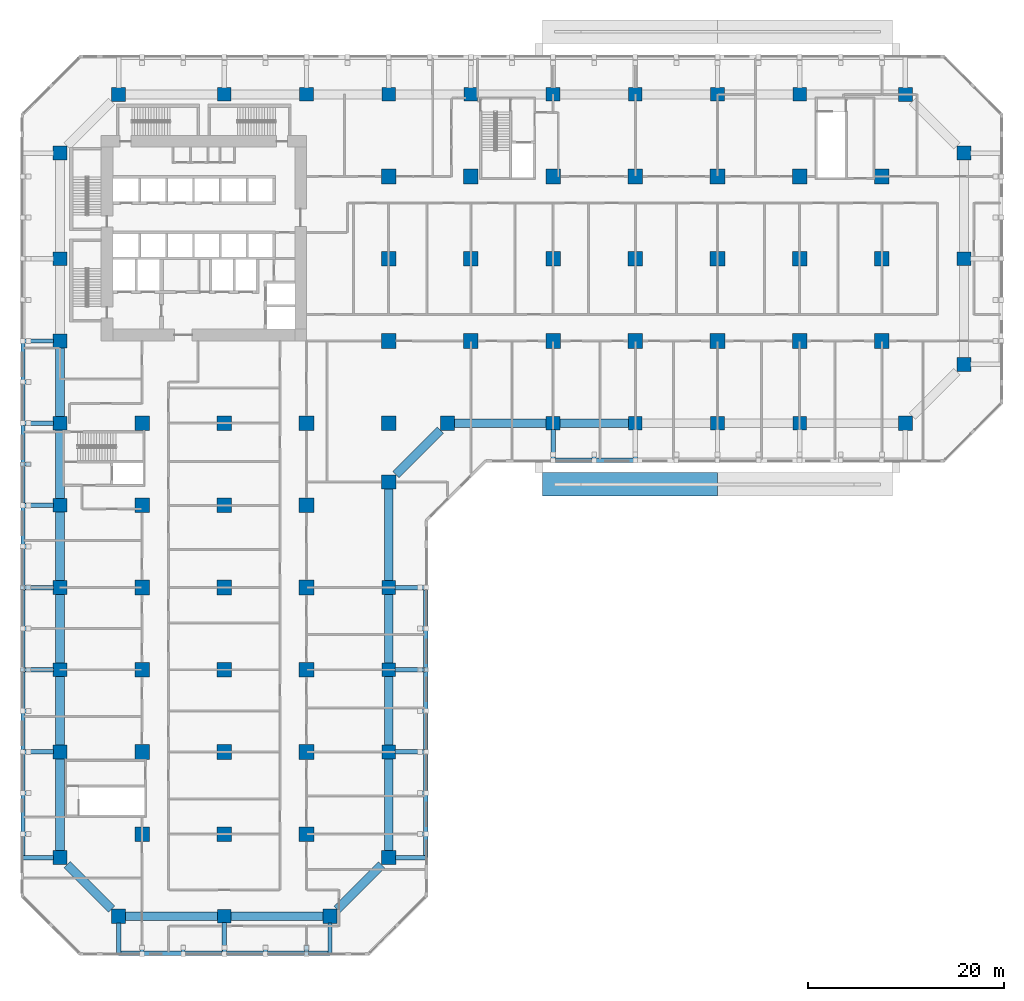
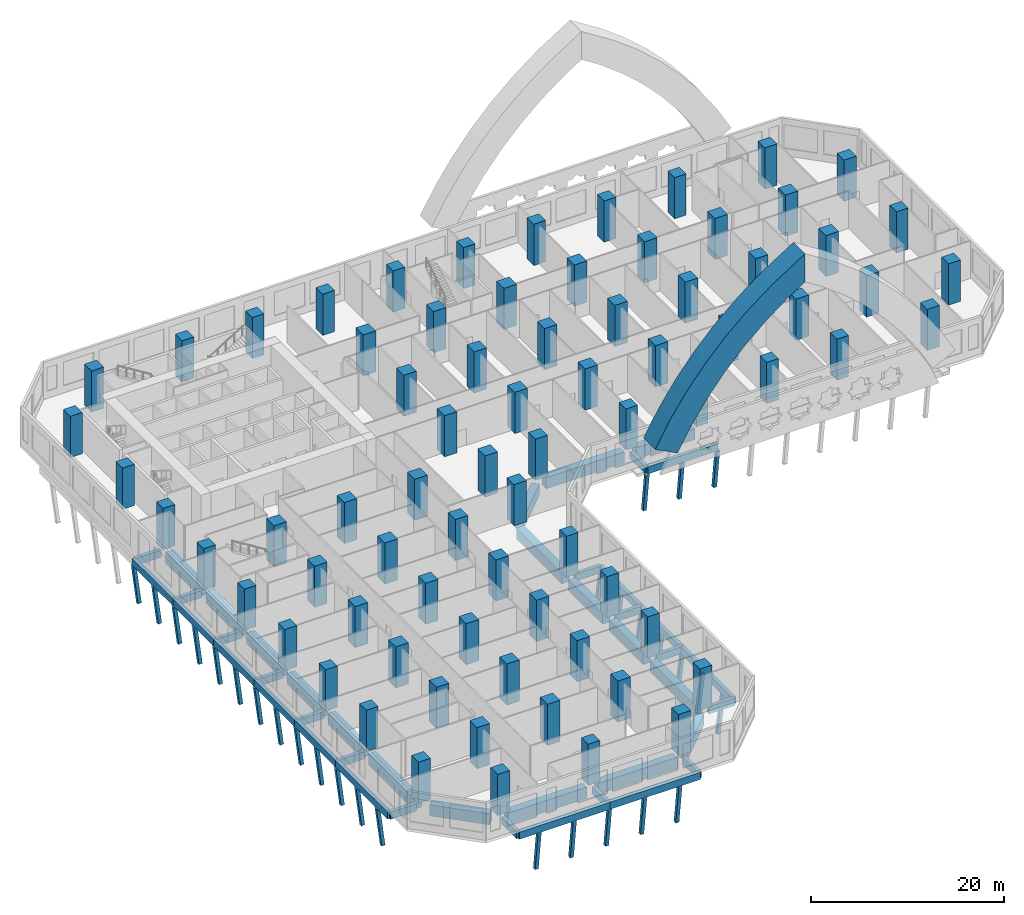
# One storey, part 1 of 25: 76 columns, 44 beams, 29 members.
"""IFC4 building model written with IfcOpenShell, lengths in metres."""

from ifc_helpers import new_model, si_unit, direction, frame, origin, origin_2d, place, context, subcontext, project, spatial, polyline, rectangle, hollow_rectangle, outline, extrude, material, material_profile, profile_set, type_object, element, save


model = new_model("IFC4")

# Units and contexts
model_context = context("Model", 3, precision=1e-05, world=origin(), true_north=direction((0.0, 1.0)))
body_context = subcontext(model_context, "Body", "Model", "MODEL_VIEW")
ifc_project = project(units=[si_unit("LENGTHUNIT", "METRE"), si_unit("AREAUNIT", "SQUARE_METRE"), si_unit("VOLUMEUNIT", "CUBIC_METRE"), si_unit("PLANEANGLEUNIT", "RADIAN"), si_unit("MASSUNIT", "GRAM", prefix="KILO")], contexts=[model_context])

# Site, building, storey
site_placement = place(None, origin())
site = spatial("IfcSite", under=ifc_project, at=site_placement, CompositionType="ELEMENT")
building_placement = place(site_placement, origin())
building = spatial("IfcBuilding", under=site, at=building_placement, Name="Kawkab Arch Medical Tower", CompositionType="ELEMENT")
storey_placement = place(building_placement, frame((0.0, 0.0, 29.0)))
storey = spatial("IfcBuildingStorey", under=building, at=storey_placement, Name="L06", CompositionType="ELEMENT", Elevation=29.0)

# Columns
ifc_material_1 = material(Name="Concrete C60/75", Category="concrete")
ifc_material_profile_1 = material_profile(ifc_material_1, rectangle(XDim=1.39990234375, YDim=1.39990234375, at=origin_2d()), Name="RC 1400x1400")
ifc_profile_set_1 = profile_set([ifc_material_profile_1], Name="Concrete C60/75")
column_type_1 = type_object("IfcColumnType", Name="RC 1400x1400 column C60/75", PredefinedType="COLUMN", material=ifc_profile_set_1)
for number, where, z_axis, x_axis, name in (
    (1, (16.800048828125, 0.0, 0.0), (0.0, 0.0, 1.0), (1.0, 0.0, 0.0), "Column RC 1400x1400"),
    (2, (25.199951171875, 0.0, 0.0), (0.0, 0.0, 1.0), (1.0, 0.0, 0.0), "Column RC 1400x1400"),
    (3, (33.60009765625, 0.0, 0.0), (0.0, 0.0, 1.0), (1.0, 0.0, 0.0), "Column RC 1400x1400"),
    (4, (42.0, 0.0, 0.0), (0.0, 0.0, 1.0), (1.0, 0.0, 0.0), "Column RC 1400x1400"),
    (5, (50.39990234375, 0.0, 0.0), (0.0, 0.0, 1.0), (1.0, 0.0, 0.0), "Column RC 1400x1400"),
    (6, (58.800048828125, 0.0, 0.0), (0.0, 0.0, 1.0), (1.0, 0.0, 0.0), "Column RC 1400x1400"),
    (7, (67.199951171875, 0.0, 0.0), (0.0, 0.0, 1.0), (1.0, 0.0, 0.0), "Column RC 1400x1400"),
    (8, (75.60009765625, 0.0, 0.0), (0.0, 0.0, 1.0), (1.0, 0.0, 0.0), "Column RC 1400x1400"),
    (9, (0.0, -16.800048828125, 0.0), (0.0, 0.0, 1.0), (1.0, 0.0, 0.0), "Column RC 1400x1400"),
    (10, (92.39990234375, -16.800048828125, 0.0), (0.0, 0.0, 1.0), (1.0, 0.0, 0.0), "Column RC 1400x1400"),
    (11, (0.0, -25.199951171875, 0.0), (0.0, 0.0, 1.0), (1.0, 0.0, 0.0), "Column RC 1400x1400"),
    (12, (0.0, -33.60009765625, 0.0), (0.0, 0.0, 1.0), (1.0, 0.0, 0.0), "Column RC 1400x1400"),
    (13, (50.39990234375, -33.60009765625, 0.0), (0.0, 0.0, 1.0), (1.0, 0.0, 0.0), "Column RC 1400x1400"),
    (14, (58.800048828125, -33.60009765625, 0.0), (0.0, 0.0, 1.0), (1.0, 0.0, 0.0), "Column RC 1400x1400"),
    (15, (67.199951171875, -33.60009765625, 0.0), (0.0, 0.0, 1.0), (1.0, 0.0, 0.0), "Column RC 1400x1400"),
    (16, (75.60009765625, -33.60009765625, 0.0), (0.0, 0.0, 1.0), (1.0, 0.0, 0.0), "Column RC 1400x1400"),
    (17, (0.0, -42.0, 0.0), (0.0, 0.0, 1.0), (1.0, 0.0, 0.0), "Column RC 1400x1400"),
    (18, (0.0, -50.39990234375, 0.0), (0.0, 0.0, 1.0), (1.0, 0.0, 0.0), "Column RC 1400x1400"),
    (19, (33.60009765625, -50.39990234375, 0.0), (0.0, 0.0, 1.0), (1.0, 0.0, 0.0), "Column RC 1400x1400"),
    (20, (0.0, -58.800048828125, 0.0), (0.0, 0.0, 1.0), (1.0, 0.0, 0.0), "Column RC 1400x1400"),
    (21, (33.60009765625, -58.800048828125, 0.0), (0.0, 0.0, 1.0), (1.0, 0.0, 0.0), "Column RC 1400x1400"),
    (22, (0.0, -67.199951171875, 0.0), (0.0, 0.0, 1.0), (1.0, 0.0, 0.0), "Column RC 1400x1400"),
    (23, (33.60009765625, -67.199951171875, 0.0), (0.0, 0.0, 1.0), (1.0, 0.0, 0.0), "Column RC 1400x1400"),
    (24, (16.800048828125, -84.0, 0.0), (0.0, 0.0, 1.0), (1.0, 0.0, 0.0), "Column RC 1400x1400"),
):
    element("IfcColumn", number, at=place(storey_placement, frame(where, z_axis=z_axis, x_axis=x_axis)), inside=storey, type_object=column_type_1, Name=name, PredefinedType="COLUMN", context=body_context, shape_type="SweptSolid", body=[
        extrude(rectangle(XDim=1.39990234375, YDim=1.39990234375, at=origin_2d()), origin(), (0.0, 0.0, 1.0), 5.199951171875),
    ])
ifc_material_2 = material(Name="Concrete C60/75", Category="concrete")
ifc_material_profile_2 = material_profile(ifc_material_2, rectangle(XDim=1.449951171875, YDim=1.449951171875, at=origin_2d()), Name="RC 1450x1450")
ifc_profile_set_2 = profile_set([ifc_material_profile_2], Name="Concrete C60/75")
column_type_2 = type_object("IfcColumnType", Name="RC 1450x1450 column C60/75", PredefinedType="COLUMN", material=ifc_profile_set_2)
for number, where, z_axis, x_axis, name in (
    (25, (6.0, 0.0, 0.0), (0.0, 0.0, 1.0), (1.0, 0.0, 0.0), "Column RC 1450x1450"),
    (26, (86.39990234375, 0.0, 0.0), (0.0, 0.0, 1.0), (1.0, 0.0, 0.0), "Column RC 1450x1450"),
    (27, (0.0, -6.0, 0.0), (0.0, 0.0, 1.0), (1.0, 0.0, 0.0), "Column RC 1450x1450"),
    (28, (92.39990234375, -6.0, 0.0), (0.0, 0.0, 1.0), (1.0, 0.0, 0.0), "Column RC 1450x1450"),
    (29, (92.39990234375, -27.60009765625, 0.0), (0.0, 0.0, 1.0), (1.0, 0.0, 0.0), "Column RC 1450x1450"),
    (30, (39.60009765625, -33.60009765625, 0.0), (0.0, 0.0, 1.0), (1.0, 0.0, 0.0), "Column RC 1450x1450"),
    (31, (86.39990234375, -33.60009765625, 0.0), (0.0, 0.0, 1.0), (1.0, 0.0, 0.0), "Column RC 1450x1450"),
    (32, (33.60009765625, -39.60009765625, 0.0), (0.0, 0.0, 1.0), (1.0, 0.0, 0.0), "Column RC 1450x1450"),
    (33, (0.0, -78.0, 0.0), (0.0, 0.0, 1.0), (1.0, 0.0, 0.0), "Column RC 1450x1450"),
    (34, (33.60009765625, -78.0, 0.0), (0.0, 0.0, 1.0), (1.0, 0.0, 0.0), "Column RC 1450x1450"),
    (35, (6.0, -84.0, 0.0), (0.0, 0.0, 1.0), (1.0, 0.0, 0.0), "Column RC 1450x1450"),
    (36, (27.60009765625, -84.0, 0.0), (0.0, 0.0, 1.0), (1.0, 0.0, 0.0), "Column RC 1450x1450"),
):
    element("IfcColumn", number, at=place(storey_placement, frame(where, z_axis=z_axis, x_axis=x_axis)), inside=storey, type_object=column_type_2, Name=name, PredefinedType="COLUMN", context=body_context, shape_type="SweptSolid", body=[
        extrude(rectangle(XDim=1.449951171875, YDim=1.449951171875, at=origin_2d()), origin(), (0.0, 0.0, 1.0), 5.199951171875),
    ])
ifc_material_3 = material(Name="Concrete C60/75", Category="concrete")
ifc_material_profile_3 = material_profile(ifc_material_3, rectangle(XDim=1.5, YDim=1.5, at=origin_2d()), Name="RC 1500x1500")
ifc_profile_set_3 = profile_set([ifc_material_profile_3], Name="Concrete C60/75")
column_type_3 = type_object("IfcColumnType", Name="RC 1500x1500 column C60/75", PredefinedType="COLUMN", material=ifc_profile_set_3)
for number, where, z_axis, x_axis, name in (
    (37, (33.60009765625, -8.39990234375, 0.0), (0.0, 0.0, 1.0), (1.0, 0.0, 0.0), "Column RC 1500x1500"),
    (38, (42.0, -8.39990234375, 0.0), (0.0, 0.0, 1.0), (1.0, 0.0, 0.0), "Column RC 1500x1500"),
    (39, (50.39990234375, -8.39990234375, 0.0), (0.0, 0.0, 1.0), (1.0, 0.0, 0.0), "Column RC 1500x1500"),
    (40, (58.800048828125, -8.39990234375, 0.0), (0.0, 0.0, 1.0), (1.0, 0.0, 0.0), "Column RC 1500x1500"),
    (41, (67.199951171875, -8.39990234375, 0.0), (0.0, 0.0, 1.0), (1.0, 0.0, 0.0), "Column RC 1500x1500"),
    (42, (75.60009765625, -8.39990234375, 0.0), (0.0, 0.0, 1.0), (1.0, 0.0, 0.0), "Column RC 1500x1500"),
    (43, (84.0, -8.39990234375, 0.0), (0.0, 0.0, 1.0), (1.0, 0.0, 0.0), "Column RC 1500x1500"),
    (44, (33.60009765625, -16.800048828125, 0.0), (0.0, 0.0, 1.0), (1.0, 0.0, 0.0), "Column RC 1500x1500"),
    (45, (42.0, -16.800048828125, 0.0), (0.0, 0.0, 1.0), (1.0, 0.0, 0.0), "Column RC 1500x1500"),
    (46, (50.39990234375, -16.800048828125, 0.0), (0.0, 0.0, 1.0), (1.0, 0.0, 0.0), "Column RC 1500x1500"),
    (47, (58.800048828125, -16.800048828125, 0.0), (0.0, 0.0, 1.0), (1.0, 0.0, 0.0), "Column RC 1500x1500"),
    (48, (67.199951171875, -16.800048828125, 0.0), (0.0, 0.0, 1.0), (1.0, 0.0, 0.0), "Column RC 1500x1500"),
    (49, (75.60009765625, -16.800048828125, 0.0), (0.0, 0.0, 1.0), (1.0, 0.0, 0.0), "Column RC 1500x1500"),
    (50, (84.0, -16.800048828125, 0.0), (0.0, 0.0, 1.0), (1.0, 0.0, 0.0), "Column RC 1500x1500"),
    (51, (33.60009765625, -25.199951171875, 0.0), (0.0, 0.0, 1.0), (1.0, 0.0, 0.0), "Column RC 1500x1500"),
    (52, (42.0, -25.199951171875, 0.0), (0.0, 0.0, 1.0), (1.0, 0.0, 0.0), "Column RC 1500x1500"),
    (53, (50.39990234375, -25.199951171875, 0.0), (0.0, 0.0, 1.0), (1.0, 0.0, 0.0), "Column RC 1500x1500"),
    (54, (58.800048828125, -25.199951171875, 0.0), (0.0, 0.0, 1.0), (1.0, 0.0, 0.0), "Column RC 1500x1500"),
    (55, (67.199951171875, -25.199951171875, 0.0), (0.0, 0.0, 1.0), (1.0, 0.0, 0.0), "Column RC 1500x1500"),
    (56, (75.60009765625, -25.199951171875, 0.0), (0.0, 0.0, 1.0), (1.0, 0.0, 0.0), "Column RC 1500x1500"),
    (57, (84.0, -25.199951171875, 0.0), (0.0, 0.0, 1.0), (1.0, 0.0, 0.0), "Column RC 1500x1500"),
    (58, (8.39990234375, -33.60009765625, 0.0), (0.0, 0.0, 1.0), (1.0, 0.0, 0.0), "Column RC 1500x1500"),
    (59, (16.800048828125, -33.60009765625, 0.0), (0.0, 0.0, 1.0), (1.0, 0.0, 0.0), "Column RC 1500x1500"),
    (60, (25.199951171875, -33.60009765625, 0.0), (0.0, 0.0, 1.0), (1.0, 0.0, 0.0), "Column RC 1500x1500"),
    (61, (33.60009765625, -33.60009765625, 0.0), (0.0, 0.0, 1.0), (1.0, 0.0, 0.0), "Column RC 1500x1500"),
    (62, (8.39990234375, -42.0, 0.0), (0.0, 0.0, 1.0), (1.0, 0.0, 0.0), "Column RC 1500x1500"),
    (63, (16.800048828125, -42.0, 0.0), (0.0, 0.0, 1.0), (1.0, 0.0, 0.0), "Column RC 1500x1500"),
    (64, (25.199951171875, -42.0, 0.0), (0.0, 0.0, 1.0), (1.0, 0.0, 0.0), "Column RC 1500x1500"),
    (65, (8.39990234375, -50.39990234375, 0.0), (0.0, 0.0, 1.0), (1.0, 0.0, 0.0), "Column RC 1500x1500"),
    (66, (16.800048828125, -50.39990234375, 0.0), (0.0, 0.0, 1.0), (1.0, 0.0, 0.0), "Column RC 1500x1500"),
    (67, (25.199951171875, -50.39990234375, 0.0), (0.0, 0.0, 1.0), (1.0, 0.0, 0.0), "Column RC 1500x1500"),
    (68, (8.39990234375, -58.800048828125, 0.0), (0.0, 0.0, 1.0), (1.0, 0.0, 0.0), "Column RC 1500x1500"),
    (69, (16.800048828125, -58.800048828125, 0.0), (0.0, 0.0, 1.0), (1.0, 0.0, 0.0), "Column RC 1500x1500"),
    (70, (25.199951171875, -58.800048828125, 0.0), (0.0, 0.0, 1.0), (1.0, 0.0, 0.0), "Column RC 1500x1500"),
    (71, (8.39990234375, -67.199951171875, 0.0), (0.0, 0.0, 1.0), (1.0, 0.0, 0.0), "Column RC 1500x1500"),
    (72, (16.800048828125, -67.199951171875, 0.0), (0.0, 0.0, 1.0), (1.0, 0.0, 0.0), "Column RC 1500x1500"),
    (73, (25.199951171875, -67.199951171875, 0.0), (0.0, 0.0, 1.0), (1.0, 0.0, 0.0), "Column RC 1500x1500"),
    (74, (8.39990234375, -75.60009765625, 0.0), (0.0, 0.0, 1.0), (1.0, 0.0, 0.0), "Column RC 1500x1500"),
    (75, (16.800048828125, -75.60009765625, 0.0), (0.0, 0.0, 1.0), (1.0, 0.0, 0.0), "Column RC 1500x1500"),
    (76, (25.199951171875, -75.60009765625, 0.0), (0.0, 0.0, 1.0), (1.0, 0.0, 0.0), "Column RC 1500x1500"),
):
    element("IfcColumn", number, at=place(storey_placement, frame(where, z_axis=z_axis, x_axis=x_axis)), inside=storey, type_object=column_type_3, Name=name, PredefinedType="COLUMN", context=body_context, shape_type="SweptSolid", body=[
        extrude(rectangle(XDim=1.5, YDim=1.5, at=origin_2d()), origin(), (0.0, 0.0, 1.0), 5.199951171875),
    ])

# Member
ifc_material_4 = material(Name="Concrete C60/75", Category="concrete")
member_type_1 = type_object("IfcMemberType", Name="Arch rib segment 3000 C60/75", PredefinedType="STRUT", material=ifc_material_4)
member_placement = place(storey_placement, frame((0.0, -38.64990234375, -29.0), z_axis=(0.0, -1.0, 0.0), x_axis=(1.0, 0.0, 0.0)))
element("IfcMember", 77, at=member_placement, inside=storey, type_object=member_type_1, Name="Portal arch rib SW", PredefinedType="STRUT", context=body_context, shape_type="SweptSolid", body=[
    extrude(outline(polyline([(51.953369140625, 31.95166015625), (53.62451171875, 34.8583984375), (55.522216796875, 37.62109375), (57.63623046875, 40.223388671875), (59.951904296875, 42.647216796875), (62.455078125, 44.878173828125), (65.1279296875, 46.900390625), (67.199951171875, 48.22119140625), (67.199951171875, 51.77880859375), (63.4140625, 49.365478515625), (60.548828125, 47.197998046875), (57.865966796875, 44.806640625), (55.3837890625, 42.20849609375), (53.11767578125, 39.4189453125), (51.08349609375, 36.457763671875), (49.29248046875, 33.34228515625), (51.953369140625, 31.95166015625)])), origin(), (0.0, 0.0, 1.0), 2.400146484375),
])

# Beams
ifc_material_5 = material(Name="Concrete C60/75", Category="concrete")
ifc_material_profile_4 = material_profile(ifc_material_5, rectangle(XDim=0.449951171875, YDim=0.89990234375, at=origin_2d()), Name="RC 450x900")
ifc_profile_set_4 = profile_set([ifc_material_profile_4], Name="Concrete C60/75")
beam_type_1 = type_object("IfcBeamType", Name="Podium edge beam RC 450x900 C60/75", PredefinedType="BEAM", material=ifc_profile_set_4)
beam_1_placement = place(storey_placement, frame((-3.77490234375, -25.199951171875, -0.800048828125), z_axis=(0.0, -1.0, 0.0), x_axis=(1.0, 0.0, 0.0)))
element("IfcBeam", 78, at=beam_1_placement, inside=storey, type_object=beam_type_1, Name="Podium edge beam L06 R01.3", PredefinedType="BEAM", context=body_context, shape_type="SweptSolid", body=[
    extrude(rectangle(XDim=0.449951171875, YDim=0.89990234375, at=origin_2d()), origin(), (0.0, 0.0, 1.0), 8.400146484375),
])
for number, where, z_axis, x_axis, name in (
    (79, (-3.77490234375, -33.60009765625, -0.800048828125), (0.0, -1.0, 0.0), (1.0, 0.0, 0.0), "Podium edge beam L06 R01.4"),
    (80, (-3.77490234375, -42.0, -0.800048828125), (0.0, -1.0, 0.0), (1.0, 0.0, 0.0), "Podium edge beam L06 R01.5"),
):
    element("IfcBeam", number, at=place(storey_placement, frame(where, z_axis=z_axis, x_axis=x_axis)), inside=storey, type_object=beam_type_1, Name=name, PredefinedType="BEAM", context=body_context, shape_type="SweptSolid", body=[
        extrude(rectangle(XDim=0.449951171875, YDim=0.89990234375, at=origin_2d()), origin(), (0.0, 0.0, 1.0), 8.39990234375),
    ])
beam_2_placement = place(storey_placement, frame((-3.77490234375, -50.39990234375, -0.800048828125), z_axis=(0.0, -1.0, 0.0), x_axis=(1.0, 0.0, 0.0)))
element("IfcBeam", 81, at=beam_2_placement, inside=storey, type_object=beam_type_1, Name="Podium edge beam L06 R01.6", PredefinedType="BEAM", context=body_context, shape_type="SweptSolid", body=[
    extrude(rectangle(XDim=0.449951171875, YDim=0.89990234375, at=origin_2d()), origin(), (0.0, 0.0, 1.0), 8.400146484375),
])
beam_3_placement = place(storey_placement, frame((-3.77490234375, -58.800048828125, -0.800048828125), z_axis=(0.0, -1.0, 0.0), x_axis=(1.0, 0.0, 0.0)))
element("IfcBeam", 82, at=beam_3_placement, inside=storey, type_object=beam_type_1, Name="Podium edge beam L06 R01.7", PredefinedType="BEAM", context=body_context, shape_type="SweptSolid", body=[
    extrude(rectangle(XDim=0.449951171875, YDim=0.89990234375, at=origin_2d()), origin(), (0.0, 0.0, 1.0), 8.39990234375),
])
beam_4_placement = place(storey_placement, frame((-3.77490234375, -67.199951171875, -0.800048828125), z_axis=(0.0, -1.0, 0.0), x_axis=(1.0, 0.0, 0.0)))
element("IfcBeam", 83, at=beam_4_placement, inside=storey, type_object=beam_type_1, Name="Podium edge beam L06 R01.8", PredefinedType="BEAM", context=body_context, shape_type="SweptSolid", body=[
    extrude(rectangle(XDim=0.449951171875, YDim=0.89990234375, at=origin_2d()), origin(), (0.0, 0.0, 1.0), 10.800048828125),
])
for number, where, z_axis, x_axis, name in (
    (84, (-0.64990234375, -25.199951171875, -0.800048828125), (-1.0, 0.0, 0.0), (0.0, -1.0, 0.0), "Podium cantilever beam L06 R01.3"),
    (85, (-0.64990234375, -33.60009765625, -0.800048828125), (-1.0, 0.0, 0.0), (0.0, -1.0, 0.0), "Podium cantilever beam L06 R01.4"),
    (86, (-0.64990234375, -42.0, -0.800048828125), (-1.0, 0.0, 0.0), (0.0, -1.0, 0.0), "Podium cantilever beam L06 R01.5"),
    (87, (-0.64990234375, -50.39990234375, -0.800048828125), (-1.0, 0.0, 0.0), (0.0, -1.0, 0.0), "Podium cantilever beam L06 R01.6"),
    (88, (-0.64990234375, -58.800048828125, -0.800048828125), (-1.0, 0.0, 0.0), (0.0, -1.0, 0.0), "Podium cantilever beam L06 R01.7"),
    (89, (-0.64990234375, -67.199951171875, -0.800048828125), (-1.0, 0.0, 0.0), (0.0, -1.0, 0.0), "Podium cantilever beam L06 R01.8"),
):
    element("IfcBeam", number, at=place(storey_placement, frame(where, z_axis=z_axis, x_axis=x_axis)), inside=storey, type_object=beam_type_1, Name=name, PredefinedType="BEAM", context=body_context, shape_type="SweptSolid", body=[
        extrude(rectangle(XDim=0.449951171875, YDim=0.89990234375, at=origin_2d()), origin(), (0.0, 0.0, 1.0), 3.125),
    ])
beam_5_placement = place(storey_placement, frame((-0.675048828125, -78.0, -0.800048828125), z_axis=(-1.0, 0.0, 0.0), x_axis=(0.0, -1.0, 0.0)))
element("IfcBeam", 90, at=beam_5_placement, inside=storey, type_object=beam_type_1, Name="Podium cantilever beam L06 R01.9", PredefinedType="BEAM", context=body_context, shape_type="SweptSolid", body=[
    extrude(rectangle(XDim=0.449951171875, YDim=0.89990234375, at=origin_2d()), origin(), (0.0, 0.0, 1.0), 3.099853515625),
])
for number, where, z_axis, x_axis, name in (
    (91, (6.0, -87.77490234375, -0.800048828125), (1.0, 0.0, 0.0), (0.0, 1.0, 0.0), "Podium edge beam L06 R03.1"),
    (92, (16.800048828125, -87.77490234375, -0.800048828125), (1.0, 0.0, 0.0), (0.0, 1.0, 0.0), "Podium edge beam L06 R03.2"),
):
    element("IfcBeam", number, at=place(storey_placement, frame(where, z_axis=z_axis, x_axis=x_axis)), inside=storey, type_object=beam_type_1, Name=name, PredefinedType="BEAM", context=body_context, shape_type="SweptSolid", body=[
        extrude(rectangle(XDim=0.449951171875, YDim=0.89990234375, at=origin_2d()), origin(), (0.0, 0.0, 1.0), 10.800048828125),
    ])
beam_6_placement = place(storey_placement, frame((6.0, -84.675048828125, -0.800048828125), z_axis=(0.0, -1.0, 0.0), x_axis=(1.0, 0.0, 0.0)))
element("IfcBeam", 93, at=beam_6_placement, inside=storey, type_object=beam_type_1, Name="Podium cantilever beam L06 R03.1", PredefinedType="BEAM", context=body_context, shape_type="SweptSolid", body=[
    extrude(rectangle(XDim=0.449951171875, YDim=0.89990234375, at=origin_2d()), origin(), (0.0, 0.0, 1.0), 3.099853515625),
])
beam_7_placement = place(storey_placement, frame((16.800048828125, -84.64990234375, -0.800048828125), z_axis=(0.0, -1.0, 0.0), x_axis=(1.0, 0.0, 0.0)))
element("IfcBeam", 94, at=beam_7_placement, inside=storey, type_object=beam_type_1, Name="Podium cantilever beam L06 R03.2", PredefinedType="BEAM", context=body_context, shape_type="SweptSolid", body=[
    extrude(rectangle(XDim=0.449951171875, YDim=0.89990234375, at=origin_2d()), origin(), (0.0, 0.0, 1.0), 3.125),
])
beam_8_placement = place(storey_placement, frame((27.60009765625, -84.675048828125, -0.800048828125), z_axis=(0.0, -1.0, 0.0), x_axis=(1.0, 0.0, 0.0)))
element("IfcBeam", 95, at=beam_8_placement, inside=storey, type_object=beam_type_1, Name="Podium cantilever beam L06 R03.3", PredefinedType="BEAM", context=body_context, shape_type="SweptSolid", body=[
    extrude(rectangle(XDim=0.449951171875, YDim=0.89990234375, at=origin_2d()), origin(), (0.0, 0.0, 1.0), 3.099853515625),
])
beam_9_placement = place(storey_placement, frame((37.375, -78.0, -0.800048828125), z_axis=(0.0, 1.0, 0.0), x_axis=(-1.0, 0.0, 0.0)))
element("IfcBeam", 96, at=beam_9_placement, inside=storey, type_object=beam_type_1, Name="Podium edge beam L06 R05.1", PredefinedType="BEAM", context=body_context, shape_type="SweptSolid", body=[
    extrude(rectangle(XDim=0.449951171875, YDim=0.89990234375, at=origin_2d()), origin(), (0.0, 0.0, 1.0), 10.800048828125),
])
beam_10_placement = place(storey_placement, frame((37.375, -67.199951171875, -0.800048828125), z_axis=(0.0, 1.0, 0.0), x_axis=(-1.0, 0.0, 0.0)))
element("IfcBeam", 97, at=beam_10_placement, inside=storey, type_object=beam_type_1, Name="Podium edge beam L06 R05.2", PredefinedType="BEAM", context=body_context, shape_type="SweptSolid", body=[
    extrude(rectangle(XDim=0.449951171875, YDim=0.89990234375, at=origin_2d()), origin(), (0.0, 0.0, 1.0), 8.39990234375),
])
beam_11_placement = place(storey_placement, frame((37.375, -58.800048828125, -0.800048828125), z_axis=(0.0, 1.0, 0.0), x_axis=(-1.0, 0.0, 0.0)))
element("IfcBeam", 98, at=beam_11_placement, inside=storey, type_object=beam_type_1, Name="Podium edge beam L06 R05.3", PredefinedType="BEAM", context=body_context, shape_type="SweptSolid", body=[
    extrude(rectangle(XDim=0.449951171875, YDim=0.89990234375, at=origin_2d()), origin(), (0.0, 0.0, 1.0), 8.400146484375),
])
beam_12_placement = place(storey_placement, frame((34.27490234375, -78.0, -0.800048828125), z_axis=(1.0, 0.0, 0.0), x_axis=(0.0, 1.0, 0.0)))
element("IfcBeam", 99, at=beam_12_placement, inside=storey, type_object=beam_type_1, Name="Podium cantilever beam L06 R05.1", PredefinedType="BEAM", context=body_context, shape_type="SweptSolid", body=[
    extrude(rectangle(XDim=0.449951171875, YDim=0.89990234375, at=origin_2d()), origin(), (0.0, 0.0, 1.0), 3.10009765625),
])
for number, where, z_axis, x_axis, name in (
    (100, (34.25, -67.199951171875, -0.800048828125), (1.0, 0.0, 0.0), (0.0, 1.0, 0.0), "Podium cantilever beam L06 R05.2"),
    (101, (34.25, -58.800048828125, -0.800048828125), (1.0, 0.0, 0.0), (0.0, 1.0, 0.0), "Podium cantilever beam L06 R05.3"),
    (102, (34.25, -50.39990234375, -0.800048828125), (1.0, 0.0, 0.0), (0.0, 1.0, 0.0), "Podium cantilever beam L06 R05.4"),
):
    element("IfcBeam", number, at=place(storey_placement, frame(where, z_axis=z_axis, x_axis=x_axis)), inside=storey, type_object=beam_type_1, Name=name, PredefinedType="BEAM", context=body_context, shape_type="SweptSolid", body=[
        extrude(rectangle(XDim=0.449951171875, YDim=0.89990234375, at=origin_2d()), origin(), (0.0, 0.0, 1.0), 3.125),
    ])
beam_13_placement = place(storey_placement, frame((50.39990234375, -37.375, -0.800048828125), z_axis=(1.0, 0.0, 0.0), x_axis=(0.0, 1.0, 0.0)))
element("IfcBeam", 103, at=beam_13_placement, inside=storey, type_object=beam_type_1, Name="Podium edge beam L06 R07.1", PredefinedType="BEAM", context=body_context, shape_type="SweptSolid", body=[
    extrude(rectangle(XDim=0.449951171875, YDim=0.89990234375, at=origin_2d()), origin(), (0.0, 0.0, 1.0), 8.400146484375),
])
beam_14_placement = place(storey_placement, frame((50.39990234375, -34.25, -0.800048828125), z_axis=(0.0, -1.0, 0.0), x_axis=(1.0, 0.0, 0.0)))
element("IfcBeam", 104, at=beam_14_placement, inside=storey, type_object=beam_type_1, Name="Podium cantilever beam L06 R07.1", PredefinedType="BEAM", context=body_context, shape_type="SweptSolid", body=[
    extrude(rectangle(XDim=0.449951171875, YDim=0.89990234375, at=origin_2d()), origin(), (0.0, 0.0, 1.0), 3.125),
])

# Members
ifc_material_6 = material(Name="Steel S355", Category="steel")
ifc_material_profile_5 = material_profile(ifc_material_6, hollow_rectangle(XDim=0.39990234375, YDim=0.39990234375, WallThickness=0.01611328125, at=origin_2d()), Name="SHS 400x400x16")
ifc_profile_set_5 = profile_set([ifc_material_profile_5], Name="Steel S355")
member_type_2 = type_object("IfcMemberType", Name="Podium raking strut SHS 400x400x16", PredefinedType="STRUT", material=ifc_profile_set_5)
for number, where, z_axis, x_axis, name in (
    (105, (-3.202392578125, -25.199951171875, -6.18017578125), (-0.126456354082, 0.0, 0.991972172247), (0.0, -1.0, 0.0), "Raking strut L06 5"),
    (106, (-3.202392578125, -29.39990234375, -6.18017578125), (-0.126456354082, 0.0, 0.991972172247), (0.0, -1.0, 0.0), "Raking strut L06 6"),
    (107, (-3.202392578125, -33.60009765625, -6.18017578125), (-0.126456354082, 0.0, 0.991972172247), (0.0, -1.0, 0.0), "Raking strut L06 7"),
    (108, (-3.202392578125, -37.800048828125, -6.18017578125), (-0.126456354082, 0.0, 0.991972172247), (0.0, -1.0, 0.0), "Raking strut L06 8"),
    (109, (-3.202392578125, -42.0, -6.18017578125), (-0.126456354082, 0.0, 0.991972172247), (0.0, -1.0, 0.0), "Raking strut L06 9"),
    (110, (-3.202392578125, -46.199951171875, -6.18017578125), (-0.126456354082, 0.0, 0.991972172247), (0.0, -1.0, 0.0), "Raking strut L06 10"),
    (111, (-3.202392578125, -50.39990234375, -6.18017578125), (-0.126456354082, 0.0, 0.991972172247), (0.0, -1.0, 0.0), "Raking strut L06 11"),
    (112, (-3.202392578125, -54.60009765625, -6.18017578125), (-0.126456354082, 0.0, 0.991972172247), (0.0, -1.0, 0.0), "Raking strut L06 12"),
    (113, (-3.202392578125, -58.800048828125, -6.18017578125), (-0.126456354082, 0.0, 0.991972172247), (0.0, -1.0, 0.0), "Raking strut L06 13"),
    (114, (-3.202392578125, -63.0, -6.18017578125), (-0.126456354082, 0.0, 0.991972172247), (0.0, -1.0, 0.0), "Raking strut L06 14"),
    (115, (-3.202392578125, -67.199951171875, -6.18017578125), (-0.126456354082, 0.0, 0.991972172247), (0.0, -1.0, 0.0), "Raking strut L06 15"),
    (116, (-3.202392578125, -71.39990234375, -6.18017578125), (-0.126456354082, 0.0, 0.991972172247), (0.0, -1.0, 0.0), "Raking strut L06 16"),
    (117, (-3.202392578125, -75.60009765625, -6.18017578125), (-0.126456354082, 0.0, 0.991972172247), (0.0, -1.0, 0.0), "Raking strut L06 17"),
    (118, (8.39990234375, -87.202392578125, -6.18017578125), (0.0, -0.126456354082, 0.991972172247), (1.0, 0.0, 0.0), "Raking strut L06 18"),
    (119, (12.60009765625, -87.202392578125, -6.18017578125), (0.0, -0.126456354082, 0.991972172247), (1.0, 0.0, 0.0), "Raking strut L06 19"),
    (120, (16.800048828125, -87.202392578125, -6.18017578125), (0.0, -0.126456354082, 0.991972172247), (1.0, 0.0, 0.0), "Raking strut L06 20"),
    (121, (21.0, -87.202392578125, -6.18017578125), (0.0, -0.126456354082, 0.991972172247), (1.0, 0.0, 0.0), "Raking strut L06 21"),
    (122, (25.199951171875, -87.202392578125, -6.18017578125), (0.0, -0.126456354082, 0.991972172247), (1.0, 0.0, 0.0), "Raking strut L06 22"),
    (123, (36.802490234375, -50.39990234375, -6.18017578125), (0.126456354082, 0.0, 0.991972172247), (0.0, 1.0, 0.0), "Raking strut L06 23"),
    (124, (36.802490234375, -54.60009765625, -6.18017578125), (0.126456354082, 0.0, 0.991972172247), (0.0, 1.0, 0.0), "Raking strut L06 24"),
    (125, (36.802490234375, -58.800048828125, -6.18017578125), (0.126456354082, 0.0, 0.991972172247), (0.0, 1.0, 0.0), "Raking strut L06 25"),
    (126, (36.802490234375, -63.0, -6.18017578125), (0.126456354082, 0.0, 0.991972172247), (0.0, 1.0, 0.0), "Raking strut L06 26"),
    (127, (36.802490234375, -67.199951171875, -6.18017578125), (0.126456354082, 0.0, 0.991972172247), (0.0, 1.0, 0.0), "Raking strut L06 27"),
    (128, (36.802490234375, -71.39990234375, -6.18017578125), (0.126456354082, 0.0, 0.991972172247), (0.0, 1.0, 0.0), "Raking strut L06 28"),
    (129, (36.802490234375, -75.60009765625, -6.18017578125), (0.126456354082, 0.0, 0.991972172247), (0.0, 1.0, 0.0), "Raking strut L06 29"),
    (130, (50.39990234375, -36.802490234375, -6.18017578125), (0.0, -0.126456354082, 0.991972172247), (1.0, 0.0, 0.0), "Raking strut L06 30"),
    (131, (54.60009765625, -36.802490234375, -6.18017578125), (0.0, -0.126456354082, 0.991972172247), (1.0, 0.0, 0.0), "Raking strut L06 31"),
    (132, (58.800048828125, -36.802490234375, -6.18017578125), (0.0, -0.126456354082, 0.991972172247), (1.0, 0.0, 0.0), "Raking strut L06 32"),
):
    element("IfcMember", number, at=place(storey_placement, frame(where, z_axis=z_axis, x_axis=x_axis)), inside=storey, type_object=member_type_2, Name=name, PredefinedType="STRUT", context=body_context, shape_type="SweptSolid", body=[
        extrude(hollow_rectangle(XDim=0.39990234375, YDim=0.39990234375, WallThickness=0.01611328125, at=origin_2d()), origin(), (0.0, 0.0, 1.0), 4.9501953125),
    ])

# Beams
ifc_material_7 = material(Name="Concrete C60/75", Category="concrete")
ifc_material_profile_6 = material_profile(ifc_material_7, rectangle(XDim=0.89990234375, YDim=1.39990234375, at=origin_2d()), Name="RC 900x1400")
ifc_profile_set_6 = profile_set([ifc_material_profile_6], Name="Concrete C60/75")
beam_type_2 = type_object("IfcBeamType", Name="RC 900x1400 beam C60/75", PredefinedType="BEAM", material=ifc_profile_set_6)
for number, where, z_axis, x_axis, name in (
    (133, (0.0, -25.89990234375, -1.050048828125), (0.0, -1.0, 0.0), (1.0, 0.0, 0.0), "Podium edge beam L06-03"),
    (134, (0.0, -34.300048828125, -1.050048828125), (0.0, -1.0, 0.0), (1.0, 0.0, 0.0), "Podium edge beam L06-04"),
    (135, (0.0, -42.699951171875, -1.050048828125), (0.0, -1.0, 0.0), (1.0, 0.0, 0.0), "Podium edge beam L06-05"),
    (136, (0.0, -51.10009765625, -1.050048828125), (0.0, -1.0, 0.0), (1.0, 0.0, 0.0), "Podium edge beam L06-06"),
    (137, (0.0, -59.5, -1.050048828125), (0.0, -1.0, 0.0), (1.0, 0.0, 0.0), "Podium edge beam L06-07"),
):
    element("IfcBeam", number, at=place(storey_placement, frame(where, z_axis=z_axis, x_axis=x_axis)), inside=storey, type_object=beam_type_2, Name=name, PredefinedType="BEAM", context=body_context, shape_type="SweptSolid", body=[
        extrude(rectangle(XDim=0.89990234375, YDim=1.39990234375, at=origin_2d()), origin(), (0.0, 0.0, 1.0), 7.0),
    ])
beam_15_placement = place(storey_placement, frame((0.0, -67.89990234375, -1.050048828125), z_axis=(0.0, -1.0, 0.0), x_axis=(1.0, 0.0, 0.0)))
element("IfcBeam", 138, at=beam_15_placement, inside=storey, type_object=beam_type_2, Name="Podium edge beam L06-08", PredefinedType="BEAM", context=body_context, shape_type="SweptSolid", body=[
    extrude(rectangle(XDim=0.89990234375, YDim=1.39990234375, at=origin_2d()), origin(), (0.0, 0.0, 1.0), 9.375),
])
beam_16_placement = place(storey_placement, frame((0.72509765625, -78.72509765625, -1.050048828125), z_axis=(0.707106781187, -0.707106781187, 0.0), x_axis=(0.707106781187, 0.707106781187, 0.0)))
element("IfcBeam", 139, at=beam_16_placement, inside=storey, type_object=beam_type_2, Name="Podium edge beam L06-09", PredefinedType="BEAM", context=body_context, shape_type="SweptSolid", body=[
    extrude(rectangle(XDim=0.89990234375, YDim=1.39990234375, at=origin_2d()), origin(), (0.0, 0.0, 1.0), 6.434326171875),
])
for number, where, z_axis, x_axis, name in (
    (140, (6.72509765625, -84.0, -1.050048828125), (1.0, 0.0, 0.0), (0.0, 1.0, 0.0), "Podium edge beam L06-10"),
    (141, (17.5, -84.0, -1.050048828125), (1.0, 0.0, 0.0), (0.0, 1.0, 0.0), "Podium edge beam L06-11"),
):
    element("IfcBeam", number, at=place(storey_placement, frame(where, z_axis=z_axis, x_axis=x_axis)), inside=storey, type_object=beam_type_2, Name=name, PredefinedType="BEAM", context=body_context, shape_type="SweptSolid", body=[
        extrude(rectangle(XDim=0.89990234375, YDim=1.39990234375, at=origin_2d()), origin(), (0.0, 0.0, 1.0), 9.375),
    ])
beam_17_placement = place(storey_placement, frame((28.324951171875, -83.27490234375, -1.050048828125), z_axis=(0.707125751951, 0.707087809913, 0.0), x_axis=(-0.707087809913, 0.707125751951, 0.0)))
element("IfcBeam", 142, at=beam_17_placement, inside=storey, type_object=beam_type_2, Name="Podium edge beam L06-12", PredefinedType="BEAM", context=body_context, shape_type="SweptSolid", body=[
    extrude(rectangle(XDim=0.89990234375, YDim=1.39990234375, at=origin_2d()), origin(), (0.0, 0.0, 1.0), 6.4345703125),
])
beam_18_placement = place(storey_placement, frame((33.60009765625, -77.27490234375, -1.050048828125), z_axis=(0.0, 1.0, 0.0), x_axis=(-1.0, 0.0, 0.0)))
element("IfcBeam", 143, at=beam_18_placement, inside=storey, type_object=beam_type_2, Name="Podium edge beam L06-13", PredefinedType="BEAM", context=body_context, shape_type="SweptSolid", body=[
    extrude(rectangle(XDim=0.89990234375, YDim=1.39990234375, at=origin_2d()), origin(), (0.0, 0.0, 1.0), 9.375),
])
for number, where, z_axis, x_axis, name in (
    (144, (33.60009765625, -66.5, -1.050048828125), (0.0, 1.0, 0.0), (-1.0, 0.0, 0.0), "Podium edge beam L06-14"),
    (145, (33.60009765625, -58.10009765625, -1.050048828125), (0.0, 1.0, 0.0), (-1.0, 0.0, 0.0), "Podium edge beam L06-15"),
):
    element("IfcBeam", number, at=place(storey_placement, frame(where, z_axis=z_axis, x_axis=x_axis)), inside=storey, type_object=beam_type_2, Name=name, PredefinedType="BEAM", context=body_context, shape_type="SweptSolid", body=[
        extrude(rectangle(XDim=0.89990234375, YDim=1.39990234375, at=origin_2d()), origin(), (0.0, 0.0, 1.0), 7.0),
    ])
beam_19_placement = place(storey_placement, frame((33.60009765625, -49.699951171875, -1.050048828125), z_axis=(0.0, 1.0, 0.0), x_axis=(-1.0, 0.0, 0.0)))
element("IfcBeam", 146, at=beam_19_placement, inside=storey, type_object=beam_type_2, Name="Podium edge beam L06-16", PredefinedType="BEAM", context=body_context, shape_type="SweptSolid", body=[
    extrude(rectangle(XDim=0.89990234375, YDim=1.39990234375, at=origin_2d()), origin(), (0.0, 0.0, 1.0), 9.375),
])
beam_20_placement = place(storey_placement, frame((34.324951171875, -38.875, -1.050048828125), z_axis=(0.707106781187, 0.707106781187, 0.0), x_axis=(-0.707106781187, 0.707106781187, 0.0)))
element("IfcBeam", 147, at=beam_20_placement, inside=storey, type_object=beam_type_2, Name="Podium edge beam L06-17", PredefinedType="BEAM", context=body_context, shape_type="SweptSolid", body=[
    extrude(rectangle(XDim=0.89990234375, YDim=1.39990234375, at=origin_2d()), origin(), (0.0, 0.0, 1.0), 6.434814453125),
])
beam_21_placement = place(storey_placement, frame((40.324951171875, -33.60009765625, -1.050048828125), z_axis=(1.0, 0.0, 0.0), x_axis=(0.0, 1.0, 0.0)))
element("IfcBeam", 148, at=beam_21_placement, inside=storey, type_object=beam_type_2, Name="Podium edge beam L06-18", PredefinedType="BEAM", context=body_context, shape_type="SweptSolid", body=[
    extrude(rectangle(XDim=0.89990234375, YDim=1.39990234375, at=origin_2d()), origin(), (0.0, 0.0, 1.0), 9.375),
])
beam_22_placement = place(storey_placement, frame((51.10009765625, -33.60009765625, -1.050048828125), z_axis=(1.0, 0.0, 0.0), x_axis=(0.0, 1.0, 0.0)))
element("IfcBeam", 149, at=beam_22_placement, inside=storey, type_object=beam_type_2, Name="Podium edge beam L06-19", PredefinedType="BEAM", context=body_context, shape_type="SweptSolid", body=[
    extrude(rectangle(XDim=0.89990234375, YDim=1.39990234375, at=origin_2d()), origin(), (0.0, 0.0, 1.0), 7.0),
])

save(model, "model.ifc")
